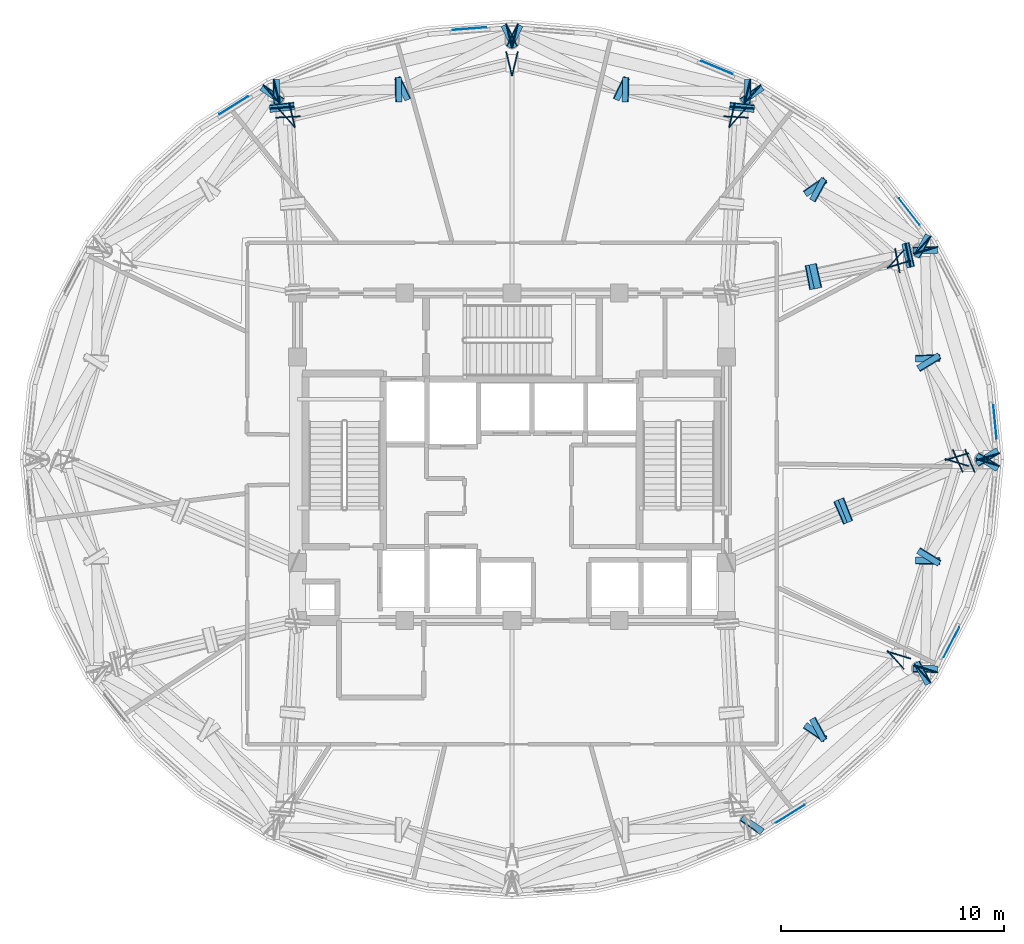
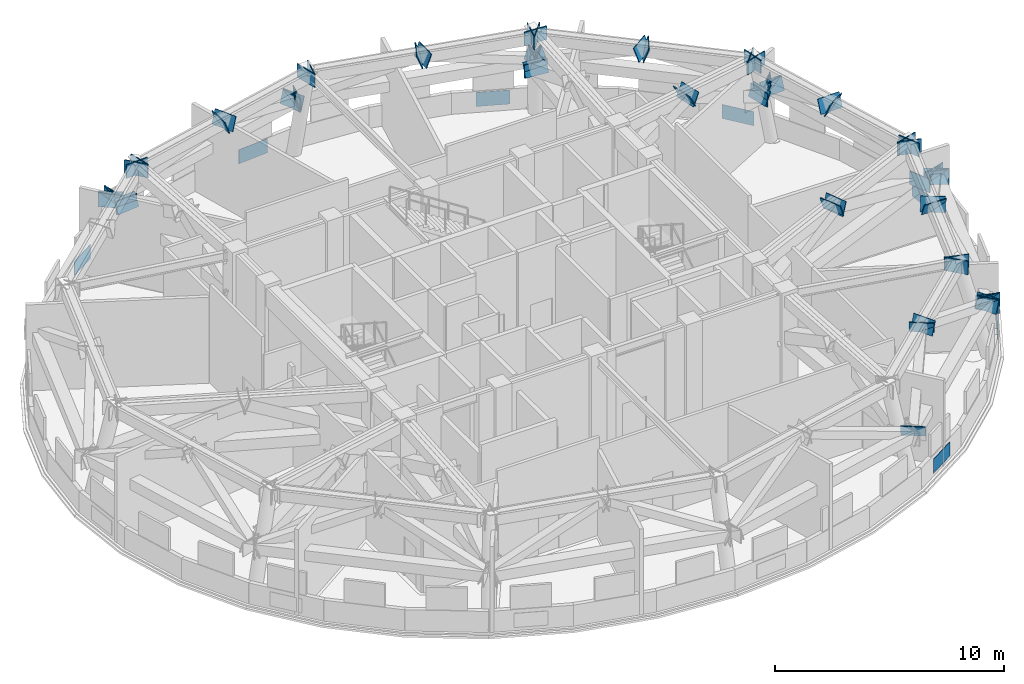
# One storey, part 5 of 13: 71 plates.
"""IFC4 building model written with IfcOpenShell, lengths in metres."""

from ifc_helpers import new_model, si_unit, direction, frame, origin, origin_2d, place, context, subcontext, project, spatial, polyline, rectangle, outline, extrude, material, layer, layer_set, type_object, element, save


model = new_model("IFC4")

# Units and contexts
model_context = context("Model", 3, precision=1e-05, world=origin(), true_north=direction((0.0, 1.0)))
body_context = subcontext(model_context, "Body", "Model", "MODEL_VIEW")
ifc_project = project(units=[si_unit("LENGTHUNIT", "METRE"), si_unit("AREAUNIT", "SQUARE_METRE"), si_unit("VOLUMEUNIT", "CUBIC_METRE"), si_unit("PLANEANGLEUNIT", "RADIAN"), si_unit("MASSUNIT", "GRAM", prefix="KILO")], contexts=[model_context])

# Site, building, storey
site_placement = place(None, origin())
site = spatial("IfcSite", under=ifc_project, at=site_placement, CompositionType="ELEMENT")
building_placement = place(site_placement, origin())
building = spatial("IfcBuilding", under=site, at=building_placement, Name="Vantalir Tower", CompositionType="ELEMENT")
storey_placement = place(building_placement, frame((0.0, 0.0, 253.64990234375)))
storey = spatial("IfcBuildingStorey", under=building, at=storey_placement, Name="L64", CompositionType="ELEMENT", Elevation=253.64990234375)

# Plates
ifc_material_1 = material(Name="Steel S460", Category="steel")
ifc_layer_1 = layer(ifc_material_1, 0.044921875)
ifc_layer_set_1 = layer_set([ifc_layer_1], Name="Steel S460")
plate_type_1 = type_object("IfcPlateType", Name="PLT-BN-01", PredefinedType="USERDEFINED", material=ifc_layer_set_1)
for number, where, z_axis, x_axis, name in (
    (1, (52.81103515625, 25.12890625, 2.4599609375), (0.0, 0.0, 1.0), (-0.288212980863, 0.957566330685, 0.0), "Node Cap Plate MEM-L64-BTCB-01 Start"),
    (2, (50.029052734375, 34.373046875, 2.4599609375), (0.0, 0.0, 1.0), (-0.288212980863, 0.957566330685, 0.0), "Node Cap Plate MEM-L64-BTCB-01 End"),
    (3, (51.410888671875, 25.12890625, 4.56005859375), (0.0, 0.0, 1.0), (-0.288329967509, 0.957531111681, 0.0), "Node Cap Plate MEM-L64-BTCT-01 Start"),
    (4, (48.81591796875, 33.748046875, 4.56005859375), (0.0, 0.0, 1.0), (-0.288329967509, 0.957531111681, 0.0), "Node Cap Plate MEM-L64-BTCT-01 End"),
):
    element("IfcPlate", number, at=place(storey_placement, frame(where, z_axis=z_axis, x_axis=x_axis)), inside=storey, type_object=plate_type_1, Name=name, ObjectType="FLANGE_PLATE", PredefinedType="USERDEFINED", context=body_context, shape_type="SweptSolid", body=[
        extrude(rectangle(XDim=0.044921875, YDim=1.10009765625, at=origin_2d()), origin(), (0.0, 0.0, 1.0), 0.719970703125),
    ])
plate_1_placement = place(storey_placement, frame((53.170654296875, 25.52783203125, 2.545166015625), z_axis=(-0.486755741183, 0.789639707037, 0.373547830265), x_axis=(-0.85126176309, -0.524741279777, 0.0)))
element("IfcPlate", 5, at=plate_1_placement, inside=storey, type_object=plate_type_1, Name="Node Cap Plate MEM-L64-BTDG-01A Start", ObjectType="FLANGE_PLATE", PredefinedType="USERDEFINED", context=body_context, shape_type="SweptSolid", body=[
    extrude(outline(polyline([(0.0, 0.0), (1.0998723747169195, -2.7755575615628914e-17), (1.0999158369641846, 0.7200958243945704), (4.346224726499423e-05, 0.7200958243945704), (0.0, 0.0)])), origin(), (0.0, 0.0, -1.0), 0.044921875),
])
plate_2_placement = place(storey_placement, frame((50.551513671875, 29.776123046875, 4.55517578125), z_axis=(-0.48690492563, 0.789547733527, 0.373547814716), x_axis=(-0.851162606387, -0.524902102766, 0.0)))
element("IfcPlate", 6, at=plate_2_placement, inside=storey, type_object=plate_type_1, Name="Node Cap Plate MEM-L64-BTDG-01A End", ObjectType="FLANGE_PLATE", PredefinedType="USERDEFINED", context=body_context, shape_type="SweptSolid", body=[
    extrude(outline(polyline([(0.0, 0.0), (1.1000005050137833, 0.0), (1.100094788681324, 0.7200958195337983), (9.428366754057893e-05, 0.7200958195337984), (0.0, 0.0)])), origin(), (0.0, 0.0, -1.0), 0.044921875),
])
plate_3_placement = place(storey_placement, frame((49.447021484375, 34.204833984375, 2.548095703125), z_axis=(0.022551458451, -0.923482223556, 0.382977825074), x_axis=(0.999701974193, 0.024412349212, -9.58284e-07)))
element("IfcPlate", 7, at=plate_3_placement, inside=storey, type_object=plate_type_1, Name="Node Cap Plate MEM-L64-BTDG-01B Start", ObjectType="FLANGE_PLATE", PredefinedType="USERDEFINED", context=body_context, shape_type="SweptSolid", body=[
    extrude(outline(polyline([(0.0, 0.0), (1.1001813359746093, 1.734723475976807e-18), (1.1000756906178548, 0.7199293003795664), (0.00013842250803860088, 0.7199270180300916), (0.0, 0.0)])), origin(), (0.0, 0.0, -1.0), 0.044921875),
])
plate_4_placement = place(storey_placement, frame((49.565185546875, 29.364013671875, 4.5556640625), z_axis=(0.022448763985, -0.923474496541, 0.383002489854), x_axis=(0.99970505159, 0.024285970398, -3.8298633e-05)))
element("IfcPlate", 8, at=plate_4_placement, inside=storey, type_object=plate_type_1, Name="Node Cap Plate MEM-L64-BTDG-01B End", ObjectType="FLANGE_PLATE", PredefinedType="USERDEFINED", context=body_context, shape_type="SweptSolid", body=[
    extrude(outline(polyline([(0.0, 0.0), (1.0999313288905805, 0.0), (1.100015983768719, 0.7202460300453455), (-0.00016534292996426243, 0.7201548132083543), (0.0, 0.0)])), origin(), (0.0, 0.0, -1.0), 0.044921875),
])
for number, where, z_axis, x_axis, name in (
    (9, (49.888916015625, 34.592041015625, 2.4599609375), (0.0, 0.0, 1.0), (-0.746963185996, 0.664865398985, 0.0), "Node Cap Plate MEM-L64-BTCB-02 Start"),
    (10, (42.27587890625, 41.367919921875, 2.4599609375), (0.0, 0.0, 1.0), (-0.746963185996, 0.664865398985, 0.0), "Node Cap Plate MEM-L64-BTCB-02 End"),
    (11, (48.676025390625, 33.967041015625, 4.56005859375), (0.0, 0.0, 1.0), (-0.747032806442, 0.664787173538, 0.0), "Node Cap Plate MEM-L64-BTCT-02 Start"),
    (12, (41.575927734375, 40.284912109375, 4.56005859375), (0.0, 0.0, 1.0), (-0.747032806442, 0.664787173538, 0.0), "Node Cap Plate MEM-L64-BTCT-02 End"),
):
    element("IfcPlate", number, at=place(storey_placement, frame(where, z_axis=z_axis, x_axis=x_axis)), inside=storey, type_object=plate_type_1, Name=name, ObjectType="FLANGE_PLATE", PredefinedType="USERDEFINED", context=body_context, shape_type="SweptSolid", body=[
        extrude(rectangle(XDim=0.044921875, YDim=1.10009765625, at=origin_2d()), origin(), (0.0, 0.0, 1.0), 0.719970703125),
    ])
for number, where, z_axis, x_axis, name in (
    (13, (50.008544921875, 35.116943359375, 2.539794921875), (-0.82268899316, 0.443760372304, 0.355330202074), (-0.474735754556, -0.880128378727, 1.7496643e-05), "Node Cap Plate MEM-L64-BTDG-02A Start"),
    (14, (45.3427734375, 37.634033203125, 4.55419921875), (-0.82268899316, 0.443760372304, 0.355330202074), (-0.474735754556, -0.880128378727, 1.7496643e-05), "Node Cap Plate MEM-L64-BTDG-02A End"),
):
    element("IfcPlate", number, at=place(storey_placement, frame(where, z_axis=z_axis, x_axis=x_axis)), inside=storey, type_object=plate_type_1, Name=name, ObjectType="FLANGE_PLATE", PredefinedType="USERDEFINED", context=body_context, shape_type="SweptSolid", body=[
        extrude(outline(polyline([(0.0, 0.0), (1.1001096018127938, 2.7755575615628914e-17), (1.1000523897219316, 0.7198062638666396), (0.00015766300160021873, 0.7198474439343403), (0.0, 0.0)])), origin(), (0.0, 0.0, -1.0), 0.044921875),
    ])
plate_5_placement = place(storey_placement, frame((41.87841796875, 40.91650390625, 2.544677734375), z_axis=(0.52265190839, -0.767187901792, 0.371830211252), x_axis=(0.826443258449, 0.563020017907, 0.0)))
element("IfcPlate", 15, at=plate_5_placement, inside=storey, type_object=plate_type_1, Name="Node Cap Plate MEM-L64-BTDG-02B Start", ObjectType="FLANGE_PLATE", PredefinedType="USERDEFINED", context=body_context, shape_type="SweptSolid", body=[
    extrude(outline(polyline([(0.0, 0.0), (1.1001114452867646, -5.551115123125783e-17), (1.0999537798820098, 0.7200867033345585), (-0.0001576654047546617, 0.7200867033345585), (0.0, 0.0)])), origin(), (0.0, 0.0, -1.0), 0.044921875),
])
plate_6_placement = place(storey_placement, frame((44.703369140625, 36.769287109375, 4.554931640625), z_axis=(0.522591413745, -0.76725031531, 0.371786454751), x_axis=(0.826487752501, 0.562954699744, 3.1652208e-05)))
element("IfcPlate", 16, at=plate_6_placement, inside=storey, type_object=plate_type_1, Name="Node Cap Plate MEM-L64-BTDG-02B End", ObjectType="FLANGE_PLATE", PredefinedType="USERDEFINED", context=body_context, shape_type="SweptSolid", body=[
    extrude(outline(polyline([(0.0, 0.0), (1.1001114412999358, -2.7755575615628914e-17), (1.1001555522426434, 0.7200355982336063), (0.0001815510549498318, 0.7201106129821966), (0.0, 0.0)])), origin(), (0.0, 0.0, -1.0), 0.044921875),
])
for number, where, z_axis, x_axis, name in (
    (17, (42.0439453125, 41.489013671875, 2.4599609375), (0.0, 0.0, 1.0), (-0.972715173414, 0.232002567679, 0.0), "Node Cap Plate MEM-L64-BTCB-03 Start"),
    (18, (31.631103515625, 43.972900390625, 2.4599609375), (0.0, 0.0, 1.0), (-0.972715173414, 0.232002567679, 0.0), "Node Cap Plate MEM-L64-BTCB-03 End"),
    (19, (41.343994140625, 40.406005859375, 4.56005859375), (0.0, 0.0, 1.0), (-0.972719222475, 0.231985590561, 0.0), "Node Cap Plate MEM-L64-BTCT-03 Start"),
    (20, (31.631103515625, 42.722900390625, 4.56005859375), (0.0, 0.0, 1.0), (-0.972719222475, 0.231985590561, 0.0), "Node Cap Plate MEM-L64-BTCT-03 End"),
):
    element("IfcPlate", number, at=place(storey_placement, frame(where, z_axis=z_axis, x_axis=x_axis)), inside=storey, type_object=plate_type_1, Name=name, ObjectType="FLANGE_PLATE", PredefinedType="USERDEFINED", context=body_context, shape_type="SweptSolid", body=[
        extrude(rectangle(XDim=0.044921875, YDim=1.10009765625, at=origin_2d()), origin(), (0.0, 0.0, 1.0), 0.719970703125),
    ])
plate_7_placement = place(storey_placement, frame((41.912353515625, 42.012939453125, 2.537109375), z_axis=(-0.937929828891, 0.017592690464, 0.34637859824), x_axis=(-0.018740328924, -0.999824383966, 3.6051316e-05)))
element("IfcPlate", 21, at=plate_7_placement, inside=storey, type_object=plate_type_1, Name="Node Cap Plate MEM-L64-BTDG-03A Start", ObjectType="FLANGE_PLATE", PredefinedType="USERDEFINED", context=body_context, shape_type="SweptSolid", body=[
    extrude(outline(polyline([(0.0, 0.0), (1.1000446868638891, 0.0), (1.1000355417115588, 0.720073757146744), (-1.372042794637877e-05, 0.7201583075380634), (0.0, 0.0)])), origin(), (0.0, 0.0, -1.0), 0.044921875),
])
plate_8_placement = place(storey_placement, frame((36.450927734375, 42.115234375, 4.5537109375), z_axis=(-0.937946171599, 0.017488896429, 0.346339598783), x_axis=(-0.018642708459, -0.999826209609, 0.0)))
element("IfcPlate", 22, at=plate_8_placement, inside=storey, type_object=plate_type_1, Name="Node Cap Plate MEM-L64-BTDG-03A End", ObjectType="FLANGE_PLATE", PredefinedType="USERDEFINED", context=body_context, shape_type="SweptSolid", body=[
    extrude(outline(polyline([(0.0, 0.0), (1.100044692822163, 8.673617379884035e-19), (1.1000355357533342, 0.7198447307165646), (-9.157068828901868e-06, 0.7198447307165646), (0.0, 0.0)])), origin(), (0.0, 0.0, -1.0), 0.044921875),
])
plate_9_placement = place(storey_placement, frame((31.505615234375, 43.38916015625, 2.539306640625), z_axis=(0.84018489593, -0.410957746848, 0.35384045975), x_axis=(0.439372086764, 0.898305164342, 3.2996022e-05)))
element("IfcPlate", 23, at=plate_9_placement, inside=storey, type_object=plate_type_1, Name="Node Cap Plate MEM-L64-BTDG-03B Start", ObjectType="FLANGE_PLATE", PredefinedType="USERDEFINED", context=body_context, shape_type="SweptSolid", body=[
    extrude(outline(polyline([(0.0, 0.0), (1.0998433495602875, 0.0), (1.0998001666988224, 0.7198753168939025), (-0.00015045143733529088, 0.719952921940855), (0.0, 0.0)])), origin(), (0.0, 0.0, -1.0), 0.044921875),
])
plate_10_placement = place(storey_placement, frame((36.29052734375, 41.048583984375, 4.553955078125), z_axis=(0.84022091893, -0.410924597659, 0.353793417732), x_axis=(0.439356190958, 0.898312938265, -4.9124081e-05)))
element("IfcPlate", 24, at=plate_10_placement, inside=storey, type_object=plate_type_1, Name="Node Cap Plate MEM-L64-BTDG-03B End", ObjectType="FLANGE_PLATE", PredefinedType="USERDEFINED", context=body_context, shape_type="SweptSolid", body=[
    extrude(outline(polyline([(0.0, 0.0), (1.0999506150522347, -2.7755575615628914e-17), (1.0999686810201026, 0.7202192135718445), (-9.398401926740814e-05, 0.7201036667891759), (0.0, 0.0)])), origin(), (0.0, 0.0, -1.0), 0.044921875),
])
for number, where, z_axis, x_axis, name in (
    (25, (31.368896484375, 43.972900390625, 2.4599609375), (0.0, 0.0, 1.0), (-0.972715173414, -0.232002567679, 0.0), "Node Cap Plate MEM-L64-BTCB-04 Start"),
    (26, (20.9560546875, 41.489013671875, 2.4599609375), (0.0, 0.0, 1.0), (-0.972715173414, -0.232002567679, 0.0), "Node Cap Plate MEM-L64-BTCB-04 End"),
    (27, (31.368896484375, 42.722900390625, 4.56005859375), (0.0, 0.0, 1.0), (-0.972719222475, -0.231985590561, 0.0), "Node Cap Plate MEM-L64-BTCT-04 Start"),
    (28, (21.656005859375, 40.406005859375, 4.56005859375), (0.0, 0.0, 1.0), (-0.972719222475, -0.231985590561, 0.0), "Node Cap Plate MEM-L64-BTCT-04 End"),
):
    element("IfcPlate", number, at=place(storey_placement, frame(where, z_axis=z_axis, x_axis=x_axis)), inside=storey, type_object=plate_type_1, Name=name, ObjectType="FLANGE_PLATE", PredefinedType="USERDEFINED", context=body_context, shape_type="SweptSolid", body=[
        extrude(rectangle(XDim=0.044921875, YDim=1.10009765625, at=origin_2d()), origin(), (0.0, 0.0, 1.0), 0.719970703125),
    ])
plate_11_placement = place(storey_placement, frame((31.01123046875, 44.377197265625, 2.539306640625), z_axis=(-0.84018489593, -0.410957746848, 0.35384045975), x_axis=(0.439372086764, -0.898305164342, -3.2996022e-05)))
element("IfcPlate", 29, at=plate_11_placement, inside=storey, type_object=plate_type_1, Name="Node Cap Plate MEM-L64-BTDG-04A Start", ObjectType="FLANGE_PLATE", PredefinedType="USERDEFINED", context=body_context, shape_type="SweptSolid", body=[
    extrude(outline(polyline([(0.0, 0.0), (1.0998433495602875, 0.0), (1.099993800997623, 0.719952921940855), (4.318286146518168e-05, 0.7198753168939025), (0.0, 0.0)])), origin(), (0.0, 0.0, -1.0), 0.044921875),
])
plate_12_placement = place(storey_placement, frame((26.22607421875, 42.03662109375, 4.553955078125), z_axis=(-0.84022091893, -0.410924597659, 0.353793417732), x_axis=(0.439356190958, -0.898312938265, 4.9124081e-05)))
element("IfcPlate", 30, at=plate_12_placement, inside=storey, type_object=plate_type_1, Name="Node Cap Plate MEM-L64-BTDG-04A End", ObjectType="FLANGE_PLATE", PredefinedType="USERDEFINED", context=body_context, shape_type="SweptSolid", body=[
    extrude(outline(polyline([(0.0, 0.0), (1.0999506150522347, 2.7755575615628914e-17), (1.1000445990715022, 0.720103666789176), (-1.806596786802376e-05, 0.7202192135718445), (0.0, 0.0)])), origin(), (0.0, 0.0, -1.0), 0.044921875),
])
plate_13_placement = place(storey_placement, frame((21.108154296875, 40.9130859375, 2.537109375), z_axis=(0.937929828891, 0.017592690464, 0.34637859824), x_axis=(-0.018740328924, 0.999824383966, -3.6051316e-05)))
element("IfcPlate", 31, at=plate_13_placement, inside=storey, type_object=plate_type_1, Name="Node Cap Plate MEM-L64-BTDG-04B Start", ObjectType="FLANGE_PLATE", PredefinedType="USERDEFINED", context=body_context, shape_type="SweptSolid", body=[
    extrude(outline(polyline([(0.0, 0.0), (1.1000446868638891, 0.0), (1.1000584072918353, 0.7201583075380634), (9.145152330113131e-06, 0.720073757146744), (0.0, 0.0)])), origin(), (0.0, 0.0, -1.0), 0.044921875),
])
plate_14_placement = place(storey_placement, frame((26.569580078125, 41.015380859375, 4.5537109375), z_axis=(0.937946171599, 0.017488896429, 0.346339598783), x_axis=(-0.018642708459, 0.999826209609, 0.0)))
element("IfcPlate", 32, at=plate_14_placement, inside=storey, type_object=plate_type_1, Name="Node Cap Plate MEM-L64-BTDG-04B End", ObjectType="FLANGE_PLATE", PredefinedType="USERDEFINED", context=body_context, shape_type="SweptSolid", body=[
    extrude(outline(polyline([(0.0, 0.0), (1.100044692822163, -8.673617379884035e-19), (1.100053849890992, 0.7198447307165646), (9.157068828901868e-06, 0.7198447307165646), (0.0, 0.0)])), origin(), (0.0, 0.0, -1.0), 0.044921875),
])
for number, where, z_axis, x_axis, name in (
    (33, (20.72412109375, 41.367919921875, 2.4599609375), (0.0, 0.0, 1.0), (-0.746963185996, -0.664865398985, 0.0), "Node Cap Plate MEM-L64-BTCB-05 Start"),
    (34, (21.424072265625, 40.284912109375, 4.56005859375), (0.0, 0.0, 1.0), (-0.747032806442, -0.664787173538, 0.0), "Node Cap Plate MEM-L64-BTCT-05 Start"),
):
    element("IfcPlate", number, at=place(storey_placement, frame(where, z_axis=z_axis, x_axis=x_axis)), inside=storey, type_object=plate_type_1, Name=name, ObjectType="FLANGE_PLATE", PredefinedType="USERDEFINED", context=body_context, shape_type="SweptSolid", body=[
        extrude(rectangle(XDim=0.044921875, YDim=1.10009765625, at=origin_2d()), origin(), (0.0, 0.0, 1.0), 0.719970703125),
    ])
plate_15_placement = place(storey_placement, frame((20.21240234375, 41.535888671875, 2.544677734375), z_axis=(-0.52265190839, -0.767187901792, 0.371830211252), x_axis=(0.826443258449, -0.563020017907, 0.0)))
element("IfcPlate", 35, at=plate_15_placement, inside=storey, type_object=plate_type_1, Name="Node Cap Plate MEM-L64-BTDG-05A Start", ObjectType="FLANGE_PLATE", PredefinedType="USERDEFINED", context=body_context, shape_type="SweptSolid", body=[
    extrude(outline(polyline([(0.0, 0.0), (1.1001114452867646, 5.551115123125783e-17), (1.1002691106915192, 0.7200867033345585), (0.0001576654047546617, 0.7200867033345585), (0.0, 0.0)])), origin(), (0.0, 0.0, -1.0), 0.044921875),
])
for number, where, z_axis, x_axis, name in (
    (36, (49.888916015625, 15.407958984375, 2.4599609375), (0.0, 0.0, 1.0), (0.746963185996, 0.664865398985, 0.0), "Node Cap Plate MEM-L64-BTCB-11 End"),
    (37, (48.676025390625, 16.032958984375, 4.56005859375), (0.0, 0.0, 1.0), (0.747032806442, 0.664787173538, 0.0), "Node Cap Plate MEM-L64-BTCT-11 End"),
):
    element("IfcPlate", number, at=place(storey_placement, frame(where, z_axis=z_axis, x_axis=x_axis)), inside=storey, type_object=plate_type_1, Name=name, ObjectType="FLANGE_PLATE", PredefinedType="USERDEFINED", context=body_context, shape_type="SweptSolid", body=[
        extrude(rectangle(XDim=0.044921875, YDim=1.10009765625, at=origin_2d()), origin(), (0.0, 0.0, 1.0), 0.719970703125),
    ])
plate_16_placement = place(storey_placement, frame((42.78759765625, 8.464111328125, 2.544677734375), z_axis=(0.52265190839, 0.767187901792, 0.371830211252), x_axis=(-0.826443258449, 0.563020017907, 0.0)))
element("IfcPlate", 38, at=plate_16_placement, inside=storey, type_object=plate_type_1, Name="Node Cap Plate MEM-L64-BTDG-11A Start", ObjectType="FLANGE_PLATE", PredefinedType="USERDEFINED", context=body_context, shape_type="SweptSolid", body=[
    extrude(outline(polyline([(0.0, 0.0), (1.1001114452867646, 5.551115123125783e-17), (1.1002691106915192, 0.7200867033345585), (0.0001576654047546617, 0.7200867033345585), (0.0, 0.0)])), origin(), (0.0, 0.0, -1.0), 0.044921875),
])
plate_17_placement = place(storey_placement, frame((45.612548828125, 12.611328125, 4.554931640625), z_axis=(0.522591413745, 0.76725031531, 0.371786454751), x_axis=(-0.826487752501, 0.562954699744, -3.1652208e-05)))
element("IfcPlate", 39, at=plate_17_placement, inside=storey, type_object=plate_type_1, Name="Node Cap Plate MEM-L64-BTDG-11A End", ObjectType="FLANGE_PLATE", PredefinedType="USERDEFINED", context=body_context, shape_type="SweptSolid", body=[
    extrude(outline(polyline([(0.0, 0.0), (1.1001114412999358, 2.7755575615628914e-17), (1.0999298902449859, 0.7201106129821966), (-4.4110942707572076e-05, 0.7200355982336063), (0.0, 0.0)])), origin(), (0.0, 0.0, -1.0), 0.044921875),
])
for number, where, z_axis, x_axis, name in (
    (40, (49.486328125, 15.851318359375, 2.539794921875), (-0.82268899316, -0.443760372304, 0.355330202074), (0.474735754556, -0.880128378727, -1.7496643e-05), "Node Cap Plate MEM-L64-BTDG-11B Start"),
    (41, (44.820556640625, 13.334228515625, 4.55419921875), (-0.82268899316, -0.443760372304, 0.355330202074), (0.474735754556, -0.880128378727, -1.7496643e-05), "Node Cap Plate MEM-L64-BTDG-11B End"),
):
    element("IfcPlate", number, at=place(storey_placement, frame(where, z_axis=z_axis, x_axis=x_axis)), inside=storey, type_object=plate_type_1, Name=name, ObjectType="FLANGE_PLATE", PredefinedType="USERDEFINED", context=body_context, shape_type="SweptSolid", body=[
        extrude(outline(polyline([(0.0, 0.0), (1.1001096018127938, -2.7755575615628914e-17), (1.0999519388111934, 0.7198474439343402), (5.721209086233603e-05, 0.7198062638666396), (0.0, 0.0)])), origin(), (0.0, 0.0, -1.0), 0.044921875),
    ])
for number, where, z_axis, x_axis, name in (
    (42, (50.029052734375, 15.626953125, 2.4599609375), (0.0, 0.0, 1.0), (0.288212980863, 0.957566330685, 0.0), "Node Cap Plate MEM-L64-BTCB-12 Start"),
    (43, (52.81103515625, 24.87109375, 2.4599609375), (0.0, 0.0, 1.0), (0.288212980863, 0.957566330685, 0.0), "Node Cap Plate MEM-L64-BTCB-12 End"),
    (44, (48.81591796875, 16.251953125, 4.56005859375), (0.0, 0.0, 1.0), (0.288329967509, 0.957531111681, 0.0), "Node Cap Plate MEM-L64-BTCT-12 Start"),
    (45, (51.410888671875, 24.87109375, 4.56005859375), (0.0, 0.0, 1.0), (0.288329967509, 0.957531111681, 0.0), "Node Cap Plate MEM-L64-BTCT-12 End"),
):
    element("IfcPlate", number, at=place(storey_placement, frame(where, z_axis=z_axis, x_axis=x_axis)), inside=storey, type_object=plate_type_1, Name=name, ObjectType="FLANGE_PLATE", PredefinedType="USERDEFINED", context=body_context, shape_type="SweptSolid", body=[
        extrude(rectangle(XDim=0.044921875, YDim=1.10009765625, at=origin_2d()), origin(), (0.0, 0.0, 1.0), 0.719970703125),
    ])
plate_18_placement = place(storey_placement, frame((50.546875, 15.768310546875, 2.548095703125), z_axis=(0.022551458451, 0.923482223556, 0.382977825074), x_axis=(-0.999701974193, 0.024412349212, 9.58284e-07)))
element("IfcPlate", 46, at=plate_18_placement, inside=storey, type_object=plate_type_1, Name="Node Cap Plate MEM-L64-BTDG-12A Start", ObjectType="FLANGE_PLATE", PredefinedType="USERDEFINED", context=body_context, shape_type="SweptSolid", body=[
    extrude(outline(polyline([(0.0, 0.0), (1.1001813359746093, -1.734723475976807e-18), (1.1000429134665708, 0.7199270180300916), (0.0001056453567545682, 0.7199293003795664), (0.0, 0.0)])), origin(), (0.0, 0.0, -1.0), 0.044921875),
])
plate_19_placement = place(storey_placement, frame((50.664794921875, 20.609375, 4.5556640625), z_axis=(0.022448763985, 0.923474496541, 0.383002489854), x_axis=(-0.99970505159, 0.024285970398, 3.8298633e-05)))
element("IfcPlate", 47, at=plate_19_placement, inside=storey, type_object=plate_type_1, Name="Node Cap Plate MEM-L64-BTDG-12A End", ObjectType="FLANGE_PLATE", PredefinedType="USERDEFINED", context=body_context, shape_type="SweptSolid", body=[
    extrude(outline(polyline([(0.0, 0.0), (1.0999313288905805, 0.0), (1.100096671820545, 0.7201548132083543), (-8.46548781382687e-05, 0.7202460300453455), (0.0, 0.0)])), origin(), (0.0, 0.0, -1.0), 0.044921875),
])
plate_20_placement = place(storey_placement, frame((52.234375, 25.04931640625, 2.545166015625), z_axis=(-0.486755741183, -0.789639707037, 0.373547830265), x_axis=(0.85126176309, -0.524741279777, 0.0)))
element("IfcPlate", 48, at=plate_20_placement, inside=storey, type_object=plate_type_1, Name="Node Cap Plate MEM-L64-BTDG-12B Start", ObjectType="FLANGE_PLATE", PredefinedType="USERDEFINED", context=body_context, shape_type="SweptSolid", body=[
    extrude(outline(polyline([(0.0, 0.0), (1.0998723747169195, 2.7755575615628914e-17), (1.0998289124696545, 0.7200958243945704), (-4.346224726499423e-05, 0.7200958243945704), (0.0, 0.0)])), origin(), (0.0, 0.0, -1.0), 0.044921875),
])
plate_21_placement = place(storey_placement, frame((49.615234375, 20.80126953125, 4.55517578125), z_axis=(-0.48690492563, -0.789547733527, 0.373547814716), x_axis=(0.851162606387, -0.524902102766, 0.0)))
element("IfcPlate", 49, at=plate_21_placement, inside=storey, type_object=plate_type_1, Name="Node Cap Plate MEM-L64-BTDG-12B End", ObjectType="FLANGE_PLATE", PredefinedType="USERDEFINED", context=body_context, shape_type="SweptSolid", body=[
    extrude(outline(polyline([(0.0, 0.0), (1.1000005050137833, 0.0), (1.099906221346243, 0.7200958195337984), (-9.428366754057893e-05, 0.7200958195337984), (0.0, 0.0)])), origin(), (0.0, 0.0, -1.0), 0.044921875),
])
for number, where, z_axis, x_axis, name in (
    (50, (51.993896484375, 24.947998046875, 2.4599609375), (0.0, 0.0, 1.0), (0.922814001807, 0.385245789164, 0.0), "Node Cap Plate MEM-L64-ORCB-01 End"),
    (51, (51.450927734375, 24.946044921875, 4.56005859375), (0.0, 0.0, 1.0), (0.915599444234, 0.40209160364, 0.0), "Node Cap Plate MEM-L64-ORCT-01 End"),
):
    element("IfcPlate", number, at=place(storey_placement, frame(where, z_axis=z_axis, x_axis=x_axis)), inside=storey, type_object=plate_type_1, Name=name, ObjectType="FLANGE_PLATE", PredefinedType="USERDEFINED", context=body_context, shape_type="SweptSolid", body=[
        extrude(rectangle(XDim=0.044921875, YDim=1.10009765625, at=origin_2d()), origin(), (0.0, 0.0, 1.0), 0.719970703125),
    ])
plate_22_placement = place(storey_placement, frame((46.6005859375, 22.215087890625, 4.553466796875), z_axis=(0.859523767366, 0.377461164747, 0.344589556488), x_axis=(-0.40207659801, 0.91560603332, -3.2872428e-05)))
element("IfcPlate", 52, at=plate_22_placement, inside=storey, type_object=plate_type_1, Name="Node Cap Plate MEM-L64-ORDG-01A End", ObjectType="FLANGE_PLATE", PredefinedType="USERDEFINED", context=body_context, shape_type="SweptSolid", body=[
    extrude(outline(polyline([(0.0, 0.0), (1.0998622086038545, -2.7755575615628914e-17), (1.0998034735862, 0.720169438676774), (-0.00015689824959087926, 0.7200924072595366), (0.0, 0.0)])), origin(), (0.0, 0.0, -1.0), 0.044921875),
])
plate_23_placement = place(storey_placement, frame((46.10009765625, 23.197509765625, 4.552490234375), z_axis=(-0.88043785253, -0.350156222253, 0.319718325795), x_axis=(0.369556986284, -0.929208068053, 1.2425297e-05)))
element("IfcPlate", 53, at=plate_23_placement, inside=storey, type_object=plate_type_1, Name="Node Cap Plate MEM-L64-ORDG-01B Start", ObjectType="FLANGE_PLATE", PredefinedType="USERDEFINED", context=body_context, shape_type="SweptSolid", body=[
    extrude(outline(polyline([(0.0, 0.0), (1.0998479870682658, 0.0), (1.099946187405608, 0.7199009432286723), (-0.00012865710114732493, 0.7199297921253134), (0.0, 0.0)])), origin(), (0.0, 0.0, -1.0), 0.044921875),
])
for number, where, z_axis, x_axis, name in (
    (54, (49.22412109375, 34.14794921875, 2.4599609375), (0.0, 0.0, 1.0), (0.978849539387, 0.204581473357, 0.0), "Node Cap Plate MEM-L64-ORCB-02 End"),
    (55, (48.751953125, 33.906982421875, 4.56005859375), (0.0, 0.0, 1.0), (0.98234606983, 0.187072710703, 0.0), "Node Cap Plate MEM-L64-ORCT-02 End"),
):
    element("IfcPlate", number, at=place(storey_placement, frame(where, z_axis=z_axis, x_axis=x_axis)), inside=storey, type_object=plate_type_1, Name=name, ObjectType="FLANGE_PLATE", PredefinedType="USERDEFINED", context=body_context, shape_type="SweptSolid", body=[
        extrude(rectangle(XDim=0.044921875, YDim=1.10009765625, at=origin_2d()), origin(), (0.0, 0.0, 1.0), 0.719970703125),
    ])
plate_24_placement = place(storey_placement, frame((45.18896484375, 32.668701171875, 4.563232421875), z_axis=(0.867878678966, 0.165300887114, 0.468467944811), x_axis=(-0.18710190897, 0.982340509019, 0.0)))
element("IfcPlate", 56, at=plate_24_placement, inside=storey, type_object=plate_type_1, Name="Node Cap Plate MEM-L64-ORDG-02A End", ObjectType="FLANGE_PLATE", PredefinedType="USERDEFINED", context=body_context, shape_type="SweptSolid", body=[
    extrude(outline(polyline([(0.0, 0.0), (1.0999916997509693, 0.0), (1.1001024026674584, 0.7198645944888606), (0.00011070291648899305, 0.7198645944888606), (0.0, 0.0)])), origin(), (0.0, 0.0, -1.0), 0.044921875),
])
plate_25_placement = place(storey_placement, frame((44.79541015625, 33.710693359375, 4.558837890625), z_axis=(-0.883063341735, -0.199194017366, 0.424877485788), x_axis=(0.220066254706, -0.975484926042, 5.1028794e-05)))
element("IfcPlate", 57, at=plate_25_placement, inside=storey, type_object=plate_type_1, Name="Node Cap Plate MEM-L64-ORDG-02B Start", ObjectType="FLANGE_PLATE", PredefinedType="USERDEFINED", context=body_context, shape_type="SweptSolid", body=[
    extrude(outline(polyline([(0.0, 0.0), (1.0999907164609926, 1.3877787807814457e-17), (1.1001857495342569, 0.7200206665630154), (1.0604686707404376e-05, 0.7201446894333363), (0.0, 0.0)])), origin(), (0.0, 0.0, -1.0), 0.044921875),
])
plate_26_placement = place(storey_placement, frame((48.94677734375, 34.64697265625, 2.561279296875), z_axis=(-0.883044480777, -0.19921242382, 0.424908054953), x_axis=(0.220047646028, -0.975489124359, -4.164087e-05)))
element("IfcPlate", 58, at=plate_26_placement, inside=storey, type_object=plate_type_1, Name="Node Cap Plate MEM-L64-ORDG-02B End", ObjectType="FLANGE_PLATE", PredefinedType="USERDEFINED", context=body_context, shape_type="SweptSolid", body=[
    extrude(outline(polyline([(0.0, 0.0), (1.0999369918880733, 0.0), (1.099881350200237, 0.7201446914124295), (-0.00010936425766741489, 0.7200434947615901), (0.0, 0.0)])), origin(), (0.0, 0.0, -1.0), 0.044921875),
])
for number, where, z_axis, x_axis, name in (
    (59, (41.798095703125, 40.758056640625, 2.4599609375), (0.0, 0.0, 1.0), (0.083730019462, 0.996488476522, 0.0), "Node Cap Plate MEM-L64-ORCB-03 End"),
    (60, (41.530029296875, 40.3359375, 4.56005859375), (0.0, 0.0, 1.0), (0.054427364735, 0.998517732425, 0.0), "Node Cap Plate MEM-L64-ORCT-03 End"),
):
    element("IfcPlate", number, at=place(storey_placement, frame(where, z_axis=z_axis, x_axis=x_axis)), inside=storey, type_object=plate_type_1, Name=name, ObjectType="FLANGE_PLATE", PredefinedType="USERDEFINED", context=body_context, shape_type="SweptSolid", body=[
        extrude(rectangle(XDim=0.044921875, YDim=1.10009765625, at=origin_2d()), origin(), (0.0, 0.0, 1.0), 0.719970703125),
    ])
plate_27_placement = place(storey_placement, frame((41.230224609375, 40.658447265625, 2.561767578125), z_axis=(-0.099596500804, -0.899179698789, 0.426094363155), x_axis=(0.993921571182, -0.110090464338, 0.0)))
element("IfcPlate", 61, at=plate_27_placement, inside=storey, type_object=plate_type_1, Name="Node Cap Plate MEM-L64-ORDG-03B End", ObjectType="FLANGE_PLATE", PredefinedType="USERDEFINED", context=body_context, shape_type="SweptSolid", body=[
    extrude(outline(polyline([(0.0, 0.0), (1.099947672379585, -6.938893903907228e-18), (1.0998642219071133, 0.7199983488154924), (-8.345047247158843e-05, 0.7199983488154924), (0.0, 0.0)])), origin(), (0.0, 0.0, -1.0), 0.044921875),
])
for number, where, z_axis, x_axis, name in (
    (62, (21.201904296875, 40.758056640625, 2.4599609375), (0.0, 0.0, 1.0), (-0.083730019462, 0.996488476522, 0.0), "Node Cap Plate MEM-L64-ORCB-04 End"),
    (63, (21.469970703125, 40.3359375, 4.56005859375), (0.0, 0.0, 1.0), (-0.054427364735, 0.998517732425, 0.0), "Node Cap Plate MEM-L64-ORCT-04 End"),
):
    element("IfcPlate", number, at=place(storey_placement, frame(where, z_axis=z_axis, x_axis=x_axis)), inside=storey, type_object=plate_type_1, Name=name, ObjectType="FLANGE_PLATE", PredefinedType="USERDEFINED", context=body_context, shape_type="SweptSolid", body=[
        extrude(rectangle(XDim=0.044921875, YDim=1.10009765625, at=origin_2d()), origin(), (0.0, 0.0, 1.0), 0.719970703125),
    ])
plate_28_placement = place(storey_placement, frame((20.676513671875, 40.537353515625, 2.561767578125), z_axis=(0.099596500804, -0.899179698789, 0.426094363155), x_axis=(0.993921571182, 0.110090464338, 0.0)))
element("IfcPlate", 64, at=plate_28_placement, inside=storey, type_object=plate_type_1, Name="Node Cap Plate MEM-L64-ORDG-04B End", ObjectType="FLANGE_PLATE", PredefinedType="USERDEFINED", context=body_context, shape_type="SweptSolid", body=[
    extrude(outline(polyline([(0.0, 0.0), (1.099947672379585, 6.938893903907228e-18), (1.1000311228520565, 0.7199983488154924), (8.345047247158843e-05, 0.7199983488154924), (0.0, 0.0)])), origin(), (0.0, 0.0, -1.0), 0.044921875),
])
ifc_material_2 = material(Name="Champagne-silver PVDF soffit cassette", Category="aluminium")
ifc_layer_2 = layer(ifc_material_2, 0.02001953125)
ifc_layer_set_2 = layer_set([ifc_layer_2], Name="Champagne-silver PVDF soffit cassette")
plate_type_2 = type_object("IfcPlateType", Name="PLT-SC-02", PredefinedType="SHEET", material=ifc_layer_set_2)
for number, where, z_axis, x_axis, name in (
    (65, (53.123046875, 26.68701171875, 0.175048828125), (0.0, 0.0, 1.0), (-0.097530789641, 0.995232508046, 0.0), "L64 PVDF Aluminium Spandrel Cassette R01"),
    (66, (49.282958984375, 36.10498046875, 0.175048828125), (0.0, 0.0, 1.0), (-0.617406641008, 0.78664416329, 0.0), "L64 PVDF Aluminium Spandrel Cassette R04"),
    (67, (40.677978515625, 42.552001953125, 0.175048828125), (0.0, 0.0, 1.0), (-0.923371109364, 0.383908575566, 0.0), "L64 PVDF Aluminium Spandrel Cassette R07"),
    (68, (29.60693359375, 44.2939453125, 0.175048828125), (0.0, 0.0, 1.0), (-0.996965075661, -0.077850098982, 0.0), "L64 PVDF Aluminium Spandrel Cassette R10"),
    (69, (19.044921875, 40.862060546875, 0.175048828125), (0.0, 0.0, 1.0), (-0.848242264745, -0.529608402785, 0.0), "L64 PVDF Aluminium Spandrel Cassette R13"),
    (70, (43.955078125, 9.137939453125, 0.175048828125), (0.0, 0.0, 1.0), (0.848242264745, 0.529608402785, 0.0), "L64 PVDF Aluminium Spandrel Cassette R31"),
    (71, (51.174072265625, 16.819091796875, 0.175048828125), (0.0, 0.0, 1.0), (0.46362081457, 0.886033712845, 0.0), "L64 PVDF Aluminium Spandrel Cassette R34"),
):
    element("IfcPlate", number, at=place(storey_placement, frame(where, z_axis=z_axis, x_axis=x_axis)), inside=storey, type_object=plate_type_2, Name=name, PredefinedType="SHEET", context=body_context, shape_type="SweptSolid", body=[
        extrude(rectangle(XDim=1.5, YDim=0.02001953125, at=origin_2d()), origin(), (0.0, 0.0, 1.0), 0.75),
    ])

save(model, "model.ifc")
